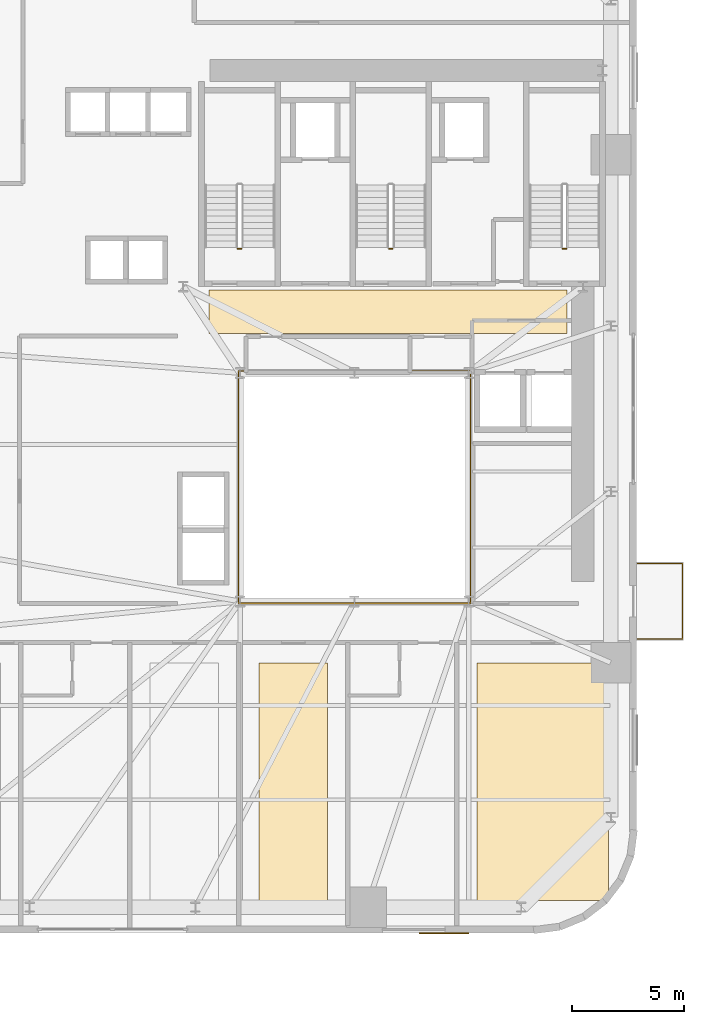
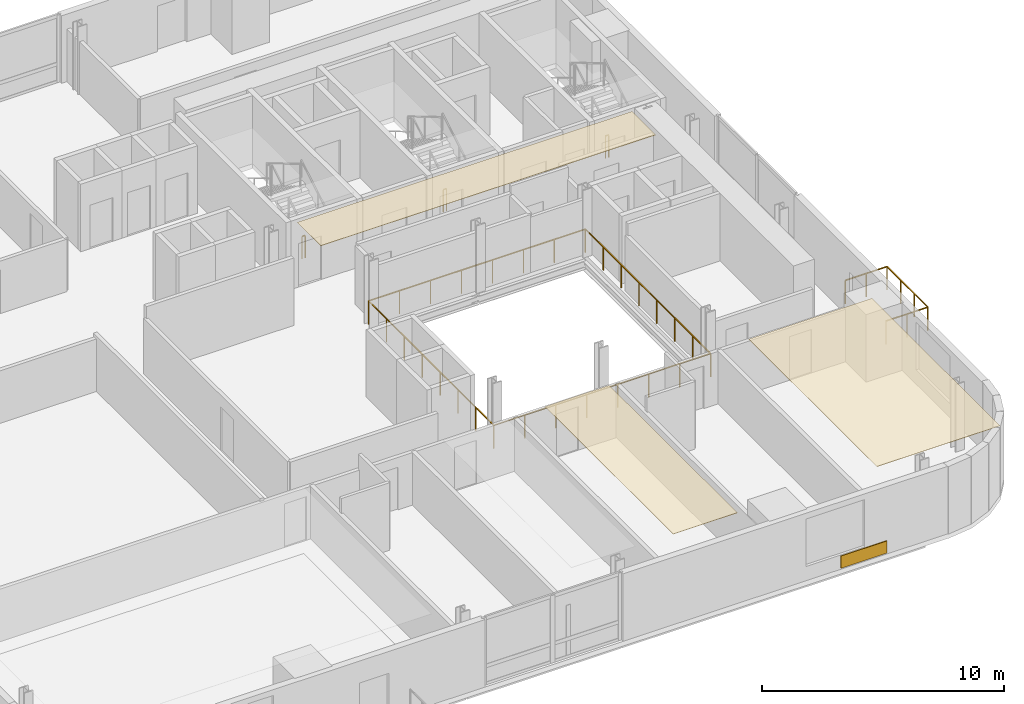
# One storey, part 11 of 13: 5 railings, 4 coverings.
"""IFC4 building model written with IfcOpenShell, lengths in metres."""

import ifcopenshell
import ifcopenshell.guid

model = None  # the IFC model being written
_history = None  # IfcOwnerHistory: only IFC2X3 demands one
_inside = {}  # id of a spatial element -> (the spatial element, [elements in it])
_under = {}  # id of a project, library or spatial element -> (it, [spatial elements below it])
_declared = {}  # id of a project -> (the project, [libraries it declares])
_typed = {}  # id of a type object -> (the type object, [elements of that type])
_made_of = {}  # id of a material, layer set ... -> (it, [elements and type objects made of it])


def new_model(schema):
    """Start an empty IFC model of exactly this schema.

    Asked for "IFC4X3", IfcOpenShell would pick the latest addendum, in which some entities
    have other attributes; the version numbers below select the first issue.
    IFC2X3 requires an IfcOwnerHistory on every rooted entity: one is made here for all.
    """
    global model, _history
    if schema == "IFC4X3":
        model = ifcopenshell.file(schema_version=(4, 3, 0, 0))
    else:
        model = ifcopenshell.file(schema=schema)
    _inside.clear()
    _under.clear()
    _declared.clear()
    _typed.clear()
    _made_of.clear()
    _history = None
    if model.schema == "IFC2X3":
        org = make("IfcOrganization", Name="unknown")
        user = make(
            "IfcPersonAndOrganization",
            ThePerson=make("IfcPerson", FamilyName="unknown"),
            TheOrganization=org,
        )
        app = make(
            "IfcApplication",
            ApplicationDeveloper=org,
            Version="unknown",
            ApplicationFullName="unknown",
            ApplicationIdentifier="unknown",
        )
        _history = make(
            "IfcOwnerHistory",
            OwningUser=user,
            OwningApplication=app,
            ChangeAction="ADDED",
            CreationDate=0,
        )
    return model


def make(cls, **values):
    """One entity of the class cls with the attributes given. An attribute that is None is left unset."""
    return model.create_entity(
        cls, **{name: value for name, value in values.items() if value is not None}
    )


def rooted(cls, **values):
    """An entity with a GlobalId (a new one), such as an element, a storey or a relation."""
    return make(cls, GlobalId=ifcopenshell.guid.new(), OwnerHistory=_history, **values)


def si_unit(unit_type, name, prefix=None):
    """IfcSIUnit, for example si_unit("LENGTHUNIT", "METRE", prefix="MILLI")."""
    return make("IfcSIUnit", UnitType=unit_type, Prefix=prefix, Name=name)


def assignment(units):
    """IfcUnitAssignment: the units of a project."""
    return None if units is None else make("IfcUnitAssignment", Units=units)


def point(xyz):
    """IfcCartesianPoint."""
    return None if xyz is None else make("IfcCartesianPoint", Coordinates=xyz)


def direction(xyz):
    """IfcDirection."""
    return None if xyz is None else make("IfcDirection", DirectionRatios=xyz)


def frame(location, z_axis=None, x_axis=None):
    """IfcAxis2Placement3D, a coordinate frame: its origin and axes. An axis left out is left unset."""
    return make(
        "IfcAxis2Placement3D",
        Location=point(location),
        Axis=direction(z_axis),
        RefDirection=direction(x_axis),
    )


def frame_2d(location, x_axis=None):
    """IfcAxis2Placement2D, a coordinate frame in the plane: its origin and x axis."""
    return make(
        "IfcAxis2Placement2D", Location=point(location), RefDirection=direction(x_axis)
    )


def origin():
    """The frame at (0, 0, 0) with its axes left unset."""
    return frame((0.0, 0.0, 0.0))


def origin_2d():
    """The frame at (0, 0) in the plane with its x axis left unset."""
    return frame_2d((0.0, 0.0))


def place(relative_to, where):
    """IfcLocalPlacement: puts the frame where relative to a parent placement (None: the world)."""
    return make(
        "IfcLocalPlacement", PlacementRelTo=relative_to, RelativePlacement=where
    )


def context(
    kind, dimensions, precision=None, world=None, true_north=None, identifier=None
):
    """IfcGeometricRepresentationContext, for example the 3D "Model" context."""
    return make(
        "IfcGeometricRepresentationContext",
        ContextIdentifier=identifier,
        ContextType=kind,
        CoordinateSpaceDimension=dimensions,
        Precision=precision,
        WorldCoordinateSystem=world,
        TrueNorth=true_north,
    )


def subcontext(parent, identifier, kind, view, scale=None):
    """IfcGeometricRepresentationSubContext, for example "Body" below "Model"."""
    return make(
        "IfcGeometricRepresentationSubContext",
        ContextIdentifier=identifier,
        ContextType=kind,
        ParentContext=parent,
        TargetScale=scale,
        TargetView=view,
    )


def project(units=None, contexts=None):
    """IfcProject with its units and contexts."""
    return rooted(
        "IfcProject",
        Name="project",
        RepresentationContexts=contexts,
        UnitsInContext=assignment(units),
    )


def spatial(cls, under=None, at=None, **own):
    """A site, building, storey or space (cls), placed at a placement, below another one or the project."""
    s = rooted(cls, ObjectPlacement=at, **own)
    if under is not None:
        _under.setdefault(under.id(), (under, []))[1].append(s)
    return s


def polyline(points):
    """IfcPolyline through the points."""
    return make("IfcPolyline", Points=[point(p) for p in points])


def profile(cls, at=None, kind="AREA", **sizes):
    """A parametric profile (cls). Its sizes go by their IFC names, for example OverallWidth=200.0."""
    return make(cls, ProfileType=kind, Position=at, **sizes)


def rectangle(**sizes):
    """IfcRectangleProfileDef."""
    return profile("IfcRectangleProfileDef", **sizes)


def outline(outer, holes=None, kind="AREA"):
    """IfcArbitraryClosedProfileDef: a profile drawn as a closed curve; with holes, ...WithVoids."""
    if holes is None:
        return make("IfcArbitraryClosedProfileDef", ProfileType=kind, OuterCurve=outer)
    return make(
        "IfcArbitraryProfileDefWithVoids",
        ProfileType=kind,
        OuterCurve=outer,
        InnerCurves=holes,
    )


def extrude(swept, where, along, depth):
    """IfcExtrudedAreaSolid: the profile swept, set in the frame where, extruded along a direction by depth."""
    return make(
        "IfcExtrudedAreaSolid",
        SweptArea=swept,
        Position=where,
        ExtrudedDirection=direction(along),
        Depth=depth,
    )


def shape(context_of_items, identifier, shape_type, items):
    """IfcShapeRepresentation: the items that make up one representation, for example the "Body"."""
    return make(
        "IfcShapeRepresentation",
        ContextOfItems=context_of_items,
        RepresentationIdentifier=identifier,
        RepresentationType=shape_type,
        Items=items,
    )


def source(mapping_origin, context_of_items, identifier, shape_type, items):
    """IfcRepresentationMap: a shape defined once, which mapped items show again and again."""
    return make(
        "IfcRepresentationMap",
        MappingOrigin=mapping_origin,
        MappedRepresentation=shape(context_of_items, identifier, shape_type, items),
    )


def transform(
    local_origin,
    x_axis=None,
    y_axis=None,
    z_axis=None,
    scale=None,
    scale2=None,
    scale3=None,
    uniform=True,
):
    """IfcCartesianTransformationOperator3D, or its non-uniform kind. x_axis, y_axis, z_axis: its Axis1, 2, 3."""
    if uniform:
        return make(
            "IfcCartesianTransformationOperator3D",
            Axis1=direction(x_axis),
            Axis2=direction(y_axis),
            LocalOrigin=point(local_origin),
            Scale=scale,
            Axis3=direction(z_axis),
        )
    return make(
        "IfcCartesianTransformationOperator3DnonUniform",
        Axis1=direction(x_axis),
        Axis2=direction(y_axis),
        LocalOrigin=point(local_origin),
        Scale=scale,
        Axis3=direction(z_axis),
        Scale2=scale2,
        Scale3=scale3,
    )


def mapped(mapping_source, mapping_target):
    """IfcMappedItem: shows the shape of a source again, moved by a transform."""
    return make(
        "IfcMappedItem", MappingSource=mapping_source, MappingTarget=mapping_target
    )


def material(Name=None, Category=None):
    """IfcMaterial."""
    return make("IfcMaterial", Name=Name, Category=Category)


def layer(
    of_material, thickness, ventilated=None, Name=None, Category=None, Priority=None
):
    """IfcMaterialLayer: one layer of a wall or slab, of a material (None: an air gap)."""
    return make(
        "IfcMaterialLayer",
        Material=of_material,
        LayerThickness=thickness,
        IsVentilated=ventilated,
        Name=Name,
        Category=Category,
        Priority=Priority,
    )


def layer_set(layers, Name=None):
    """IfcMaterialLayerSet."""
    return make("IfcMaterialLayerSet", MaterialLayers=layers, LayerSetName=Name)


def made_of(thing, what):
    """Note that an element or type object is made of a material, layer set ...; save() writes the relation."""
    if what is not None:
        _made_of.setdefault(what.id(), (what, []))[1].append(thing)
    return thing


def type_object(cls, material=None, **own):
    """A type object (cls), such as IfcWallType, which elements share."""
    return made_of(rooted(cls, **own), material)


def element(
    cls,
    number,
    at=None,
    inside=None,
    cuts=None,
    type_object=None,
    material=None,
    context=None,
    identifier="Body",
    shape_type=None,
    held_by="IfcProductDefinitionShape",
    body=None,
    shapes=None,
    **own,
):
    """One element of the class cls, such as IfcWall. Its Tag is "e" and its number.

    at: its placement. inside: the storey or other place that contains it. cuts: it is an
    opening in that element (IfcRelVoidsElement). A single representation is given by context,
    identifier, shape_type and body (its items); several are given by shapes. held_by: the class
    of the entity that holds the representations. save() writes the other relations.
    """
    e = rooted(cls, Tag="e%d" % number, ObjectPlacement=at, **own)
    if body is not None:
        shapes = [shape(context, identifier, shape_type, body)]
    if shapes is not None:
        e.Representation = make(held_by, Representations=shapes)
    if inside is not None:
        _inside.setdefault(inside.id(), (inside, []))[1].append(e)
    if cuts is not None:
        rooted(
            "IfcRelVoidsElement", RelatingBuildingElement=cuts, RelatedOpeningElement=e
        )
    if type_object is not None:
        _typed.setdefault(type_object.id(), (type_object, []))[1].append(e)
    return made_of(e, material)


def aggregate(whole, parts):
    """IfcRelAggregates: a whole, such as a stair, and the parts it consists of."""
    return rooted("IfcRelAggregates", RelatingObject=whole, RelatedObjects=parts)


def save(model, path):
    """Write the relations noted so far, then the file.

    IfcRelAggregates (storeys below a building ...), IfcRelContainedInSpatialStructure (elements
    in a storey), IfcRelDefinesByType, IfcRelAssociatesMaterial and IfcRelDeclares: one each for
    every whole, place, type object, material and project.
    """
    for whole, parts in _under.values():
        aggregate(whole, parts)
    for where, things in _inside.values():
        rooted(
            "IfcRelContainedInSpatialStructure",
            RelatedElements=things,
            RelatingStructure=where,
        )
    for kind, things in _typed.values():
        rooted("IfcRelDefinesByType", RelatedObjects=things, RelatingType=kind)
    for what, things in _made_of.values():
        rooted("IfcRelAssociatesMaterial", RelatedObjects=things, RelatingMaterial=what)
    for by, libraries in _declared.values():
        rooted("IfcRelDeclares", RelatingContext=by, RelatedDefinitions=libraries)
    model.write(path)


model = new_model("IFC4")

# Units and contexts
model_context = context("Model", 3, precision=1e-05, world=origin(), true_north=direction((0.0, 1.0)))
body_context = subcontext(model_context, "Body", "Model", "MODEL_VIEW")
ifc_project = project(units=[si_unit("LENGTHUNIT", "METRE"), si_unit("AREAUNIT", "SQUARE_METRE"), si_unit("VOLUMEUNIT", "CUBIC_METRE"), si_unit("PLANEANGLEUNIT", "RADIAN"), si_unit("MASSUNIT", "GRAM", prefix="KILO")], contexts=[model_context])

# Site, building, storey
site_placement = place(None, origin())
site = spatial("IfcSite", under=ifc_project, at=site_placement, CompositionType="ELEMENT")
building_placement = place(site_placement, origin())
building = spatial("IfcBuilding", under=site, at=building_placement, Name="Vardaveli Station Tower", CompositionType="ELEMENT")
storey_placement = place(building_placement, frame((0.0, 0.0, 49.5)))
storey = spatial("IfcBuildingStorey", under=building, at=storey_placement, Name="L12", CompositionType="ELEMENT", Elevation=49.5)

# Coverings
ifc_material_1 = material(Name="Perforated acoustic mineral ceiling")
ifc_layer_1 = layer(ifc_material_1, 0.02001953125, Name="Perforated acoustic mineral ceiling")
ifc_layer_set_1 = layer_set([ifc_layer_1], Name="Perforated acoustic mineral ceiling")
covering_type_1 = type_object("IfcCoveringType", Name="COV-CEIL-AC20", PredefinedType="CEILING", material=ifc_layer_set_1)
covering_1_placement = place(storey_placement, frame((0.0, 0.0, 3.39501953125)))
element("IfcCovering", 1, at=covering_1_placement, inside=storey, type_object=covering_type_1, Name="CEIL-L12-3", PredefinedType="CEILING", context=body_context, shape_type="SweptSolid", body=[
    extrude(outline(polyline([(32.033203125, 3.25), (35.10009765625, 3.25), (35.10009765625, 13.860107421875), (32.033203125, 13.860107421875), (32.033203125, 3.25)])), origin(), (0.0, 0.0, 1.0), 0.02001953125),
])
covering_2_placement = place(storey_placement, frame((0.0, 0.0, 3.39501953125)))
element("IfcCovering", 2, at=covering_2_placement, inside=storey, type_object=covering_type_1, Name="CEIL-L12-4", PredefinedType="CEILING", context=body_context, shape_type="SweptSolid", body=[
    extrude(outline(polyline([(41.7666015625, 3.25), (47.64990234375, 3.25), (47.64990234375, 13.860107421875), (41.7666015625, 13.860107421875), (41.7666015625, 3.25)])), origin(), (0.0, 0.0, 1.0), 0.02001953125),
])
covering_3_placement = place(storey_placement, frame((0.0, 0.0, 3.39501953125)))
element("IfcCovering", 3, at=covering_3_placement, inside=storey, type_object=covering_type_1, Name="CEIL-L12-5", PredefinedType="CEILING", context=body_context, shape_type="SweptSolid", body=[
    extrude(outline(polyline([(29.800048828125, 28.550048828125), (45.800048828125, 28.550048828125), (45.800048828125, 30.5), (29.800048828125, 30.5), (29.800048828125, 28.550048828125)])), origin(), (0.0, 0.0, 1.0), 0.02001953125),
])
ifc_material_2 = material(Name="Ventilated honed travertine stone cladding", Category="masonry")
ifc_layer_2 = layer(ifc_material_2, 0.044921875, Name="Ventilated honed travertine stone cladding")
ifc_layer_set_2 = layer_set([ifc_layer_2], Name="Ventilated honed travertine stone cladding")
covering_type_2 = type_object("IfcCoveringType", Name="COV-CLAD-TR45", PredefinedType="CLADDING", material=ifc_layer_set_2)
shared_shape_1 = source(origin(), body_context, "Body", "SweptSolid", [
    extrude(rectangle(XDim=2.199951171875, YDim=0.044921875, at=origin_2d()), origin(), (0.0, 0.0, 1.0), 0.6201171875),
])
covering_4_placement = place(storey_placement, frame((40.294921875, 1.785400390625, 0.06982421875), z_axis=(0.0, 0.0, 1.0), x_axis=(1.0, 0.0, 0.0)))
element("IfcCovering", 4, at=covering_4_placement, inside=storey, type_object=covering_type_2, Name="CLD-TR-L12-S", PredefinedType="CLADDING", context=body_context, shape_type="MappedRepresentation", body=[
    mapped(shared_shape_1, transform((0.0, 0.0, 0.0), scale=1.0)),
])

# Railings
ifc_material_3 = material(Name="Laminated glass and stainless steel balustrade", Category="steel")
railing_type_1 = type_object("IfcRailingType", Name="RL-BAL-1200", PredefinedType="BALUSTRADE", material=ifc_material_3)
shared_shape_2 = source(origin(), body_context, "Body", "SweptSolid", [
    extrude(rectangle(XDim=0.048095703125, YDim=0.048095703125, at=origin_2d()), frame((0.0, 0.0, 1.17578125), z_axis=(1.0, 0.0, 0.0), x_axis=(0.0, 1.0, 0.0)), (0.0, 0.0, 1.0), 2.0),
    extrude(rectangle(XDim=0.048095703125, YDim=0.048095703125, at=origin_2d()), frame((2.0, 0.0, 1.17578125), z_axis=(0.0, 1.0, 0.0), x_axis=(-1.0, 0.0, 0.0)), (0.0, 0.0, 1.0), 3.3798828125),
    extrude(rectangle(XDim=0.048095703125, YDim=0.048095703125, at=origin_2d()), frame((2.0, 3.3798828125, 1.17578125), z_axis=(-1.0, 0.0, 0.0), x_axis=(0.0, -1.0, 0.0)), (0.0, 0.0, 1.0), 2.0),
    extrude(rectangle(XDim=0.0419921875, YDim=0.0419921875, at=origin_2d()), origin(), (0.0, 0.0, 1.0), 1.15185546875),
    extrude(rectangle(XDim=0.0419921875, YDim=0.0419921875, at=origin_2d()), frame((1.0, 0.0, 0.0)), (0.0, 0.0, 1.0), 1.15185546875),
    extrude(rectangle(XDim=0.0419921875, YDim=0.0419921875, at=origin_2d()), frame((2.0, 0.0, 0.0)), (0.0, 0.0, 1.0), 1.15185546875),
    extrude(rectangle(XDim=0.0419921875, YDim=0.0419921875, at=origin_2d()), frame((2.0, 1.126708984375, 0.0)), (0.0, 0.0, 1.0), 1.15185546875),
    extrude(rectangle(XDim=0.0419921875, YDim=0.0419921875, at=origin_2d()), frame((2.0, 2.253173828125, 0.0)), (0.0, 0.0, 1.0), 1.15185546875),
    extrude(rectangle(XDim=0.0419921875, YDim=0.0419921875, at=origin_2d()), frame((2.0, 3.3798828125, 0.0)), (0.0, 0.0, 1.0), 1.15185546875),
    extrude(rectangle(XDim=0.0419921875, YDim=0.0419921875, at=origin_2d()), frame((1.0, 3.3798828125, 0.0)), (0.0, 0.0, 1.0), 1.15185546875),
    extrude(rectangle(XDim=0.0419921875, YDim=0.0419921875, at=origin_2d()), frame((0.0, 3.3798828125, 0.0)), (0.0, 0.0, 1.0), 1.15185546875),
])
railing_1_placement = place(storey_placement, frame((48.93994140625, 14.92041015625, 0.0)))
element("IfcRailing", 5, at=railing_1_placement, inside=storey, type_object=railing_type_1, Name="RL-LOG-L12-04", PredefinedType="BALUSTRADE", context=body_context, shape_type="MappedRepresentation", body=[
    mapped(shared_shape_2, transform((0.0, 0.0, 0.0), scale=1.0)),
])
ifc_material_4 = material(Name="Brushed AISI 316 stainless steel", Category="steel")
railing_type_2 = type_object("IfcRailingType", Name="RL-GUARD-1150", PredefinedType="GUARDRAIL", material=ifc_material_4)
shared_shape_3 = source(origin(), body_context, "Body", "SweptSolid", [
    extrude(rectangle(XDim=0.048095703125, YDim=0.048095703125, at=origin_2d()), frame((0.0, 0.0, 1.1259765625), z_axis=(-1.0, 0.0, 0.0), x_axis=(0.0, -1.0, 0.0)), (0.0, 0.0, 1.0), 0.14990234375),
    extrude(rectangle(XDim=0.0419921875, YDim=0.0419921875, at=origin_2d()), origin(), (0.0, 0.0, 1.0), 1.101806640625),
    extrude(rectangle(XDim=0.0419921875, YDim=0.0419921875, at=origin_2d()), frame((-0.14990234375, 0.0, 0.0)), (0.0, 0.0, 1.0), 1.101806640625),
])
for number, where, name in (
    (6, (31.25, 32.35009765625, 0.0), "L12 ST-1 stair guard 4"),
    (7, (38.0, 32.35009765625, 0.0), "L12 ST-2 stair guard 4"),
    (8, (45.75, 32.35009765625, 0.0), "L12 ST-3 stair guard 4"),
):
    element("IfcRailing", number, at=place(storey_placement, frame(where)), inside=storey, type_object=railing_type_2, Name=name, PredefinedType="GUARDRAIL", context=body_context, shape_type="MappedRepresentation", body=[
        mapped(shared_shape_3, transform((0.0, 0.0, 0.0), scale=1.0)),
    ])
shared_shape_4 = source(origin(), body_context, "Body", "SweptSolid", [
    extrude(rectangle(XDim=0.048095703125, YDim=0.048095703125, at=origin_2d()), frame((0.0, 0.0, 1.17578125), z_axis=(1.0, 0.0, 0.0), x_axis=(0.0, 1.0, 0.0)), (0.0, 0.0, 1.0), 10.35986328125),
    extrude(rectangle(XDim=0.048095703125, YDim=0.048095703125, at=origin_2d()), frame((10.35986328125, 0.0, 1.17578125), z_axis=(0.0, 1.0, 0.0), x_axis=(-1.0, 0.0, 0.0)), (0.0, 0.0, 1.0), 10.35986328125),
    extrude(rectangle(XDim=0.048095703125, YDim=0.048095703125, at=origin_2d()), frame((10.35986328125, 10.35986328125, 1.17578125), z_axis=(-1.0, 0.0, 0.0), x_axis=(0.0, -1.0, 0.0)), (0.0, 0.0, 1.0), 10.35986328125),
    extrude(rectangle(XDim=0.048095703125, YDim=0.048095703125, at=origin_2d()), frame((0.0, 10.35986328125, 1.17578125), z_axis=(0.0, -1.0, 0.0), x_axis=(1.0, 0.0, 0.0)), (0.0, 0.0, 1.0), 10.35986328125),
    extrude(rectangle(XDim=0.0419921875, YDim=0.0419921875, at=origin_2d()), origin(), (0.0, 0.0, 1.0), 1.15185546875),
    extrude(rectangle(XDim=0.0419921875, YDim=0.0419921875, at=origin_2d()), frame((1.47998046875, 0.0, 0.0)), (0.0, 0.0, 1.0), 1.15185546875),
    extrude(rectangle(XDim=0.0419921875, YDim=0.0419921875, at=origin_2d()), frame((2.9599609375, 0.0, 0.0)), (0.0, 0.0, 1.0), 1.15185546875),
    extrude(rectangle(XDim=0.0419921875, YDim=0.0419921875, at=origin_2d()), frame((4.43994140625, 0.0, 0.0)), (0.0, 0.0, 1.0), 1.15185546875),
    extrude(rectangle(XDim=0.0419921875, YDim=0.0419921875, at=origin_2d()), frame((5.919921875, 0.0, 0.0)), (0.0, 0.0, 1.0), 1.15185546875),
    extrude(rectangle(XDim=0.0419921875, YDim=0.0419921875, at=origin_2d()), frame((7.39990234375, 0.0, 0.0)), (0.0, 0.0, 1.0), 1.15185546875),
    extrude(rectangle(XDim=0.0419921875, YDim=0.0419921875, at=origin_2d()), frame((8.8798828125, 0.0, 0.0)), (0.0, 0.0, 1.0), 1.15185546875),
    extrude(rectangle(XDim=0.0419921875, YDim=0.0419921875, at=origin_2d()), frame((10.35986328125, 0.0, 0.0)), (0.0, 0.0, 1.0), 1.15185546875),
    extrude(rectangle(XDim=0.0419921875, YDim=0.0419921875, at=origin_2d()), frame((10.35986328125, 1.47998046875, 0.0)), (0.0, 0.0, 1.0), 1.15185546875),
    extrude(rectangle(XDim=0.0419921875, YDim=0.0419921875, at=origin_2d()), frame((10.35986328125, 2.9599609375, 0.0)), (0.0, 0.0, 1.0), 1.15185546875),
    extrude(rectangle(XDim=0.0419921875, YDim=0.0419921875, at=origin_2d()), frame((10.35986328125, 4.43994140625, 0.0)), (0.0, 0.0, 1.0), 1.15185546875),
    extrude(rectangle(XDim=0.0419921875, YDim=0.0419921875, at=origin_2d()), frame((10.35986328125, 5.919921875, 0.0)), (0.0, 0.0, 1.0), 1.15185546875),
    extrude(rectangle(XDim=0.0419921875, YDim=0.0419921875, at=origin_2d()), frame((10.35986328125, 7.39990234375, 0.0)), (0.0, 0.0, 1.0), 1.15185546875),
    extrude(rectangle(XDim=0.0419921875, YDim=0.0419921875, at=origin_2d()), frame((10.35986328125, 8.8798828125, 0.0)), (0.0, 0.0, 1.0), 1.15185546875),
    extrude(rectangle(XDim=0.0419921875, YDim=0.0419921875, at=origin_2d()), frame((10.35986328125, 10.35986328125, 0.0)), (0.0, 0.0, 1.0), 1.15185546875),
    extrude(rectangle(XDim=0.0419921875, YDim=0.0419921875, at=origin_2d()), frame((8.8798828125, 10.35986328125, 0.0)), (0.0, 0.0, 1.0), 1.15185546875),
    extrude(rectangle(XDim=0.0419921875, YDim=0.0419921875, at=origin_2d()), frame((7.39990234375, 10.35986328125, 0.0)), (0.0, 0.0, 1.0), 1.15185546875),
    extrude(rectangle(XDim=0.0419921875, YDim=0.0419921875, at=origin_2d()), frame((5.919921875, 10.35986328125, 0.0)), (0.0, 0.0, 1.0), 1.15185546875),
    extrude(rectangle(XDim=0.0419921875, YDim=0.0419921875, at=origin_2d()), frame((4.43994140625, 10.35986328125, 0.0)), (0.0, 0.0, 1.0), 1.15185546875),
    extrude(rectangle(XDim=0.0419921875, YDim=0.0419921875, at=origin_2d()), frame((2.9599609375, 10.35986328125, 0.0)), (0.0, 0.0, 1.0), 1.15185546875),
    extrude(rectangle(XDim=0.0419921875, YDim=0.0419921875, at=origin_2d()), frame((1.47998046875, 10.35986328125, 0.0)), (0.0, 0.0, 1.0), 1.15185546875),
    extrude(rectangle(XDim=0.0419921875, YDim=0.0419921875, at=origin_2d()), frame((0.0, 10.35986328125, 0.0)), (0.0, 0.0, 1.0), 1.15185546875),
    extrude(rectangle(XDim=0.0419921875, YDim=0.0419921875, at=origin_2d()), frame((0.0, 8.8798828125, 0.0)), (0.0, 0.0, 1.0), 1.15185546875),
    extrude(rectangle(XDim=0.0419921875, YDim=0.0419921875, at=origin_2d()), frame((0.0, 7.39990234375, 0.0)), (0.0, 0.0, 1.0), 1.15185546875),
    extrude(rectangle(XDim=0.0419921875, YDim=0.0419921875, at=origin_2d()), frame((0.0, 5.919921875, 0.0)), (0.0, 0.0, 1.0), 1.15185546875),
    extrude(rectangle(XDim=0.0419921875, YDim=0.0419921875, at=origin_2d()), frame((0.0, 4.43994140625, 0.0)), (0.0, 0.0, 1.0), 1.15185546875),
    extrude(rectangle(XDim=0.0419921875, YDim=0.0419921875, at=origin_2d()), frame((0.0, 2.9599609375, 0.0)), (0.0, 0.0, 1.0), 1.15185546875),
    extrude(rectangle(XDim=0.0419921875, YDim=0.0419921875, at=origin_2d()), frame((0.0, 1.47998046875, 0.0)), (0.0, 0.0, 1.0), 1.15185546875),
])
railing_2_placement = place(storey_placement, frame((31.1201171875, 16.52001953125, 0.0)))
element("IfcRailing", 9, at=railing_2_placement, inside=storey, type_object=railing_type_1, Name="RL-ATR-L12", PredefinedType="BALUSTRADE", context=body_context, shape_type="MappedRepresentation", body=[
    mapped(shared_shape_4, transform((0.0, 0.0, 0.0), scale=1.0)),
])

save(model, "model.ifc")
